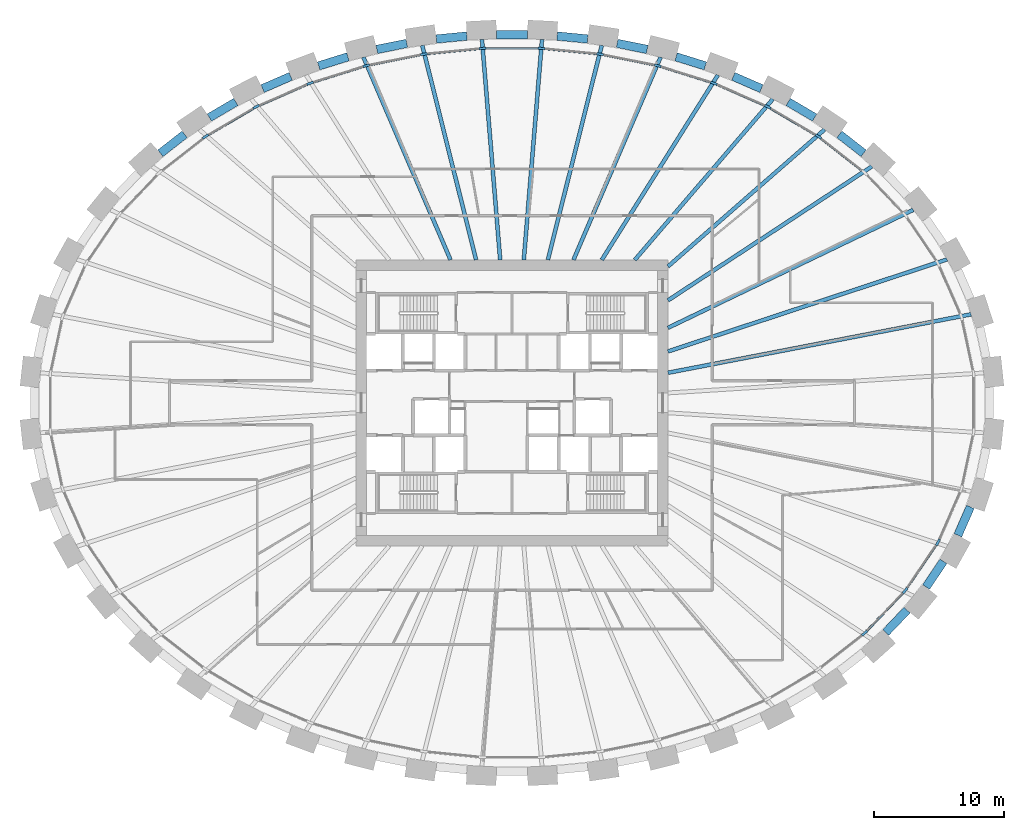
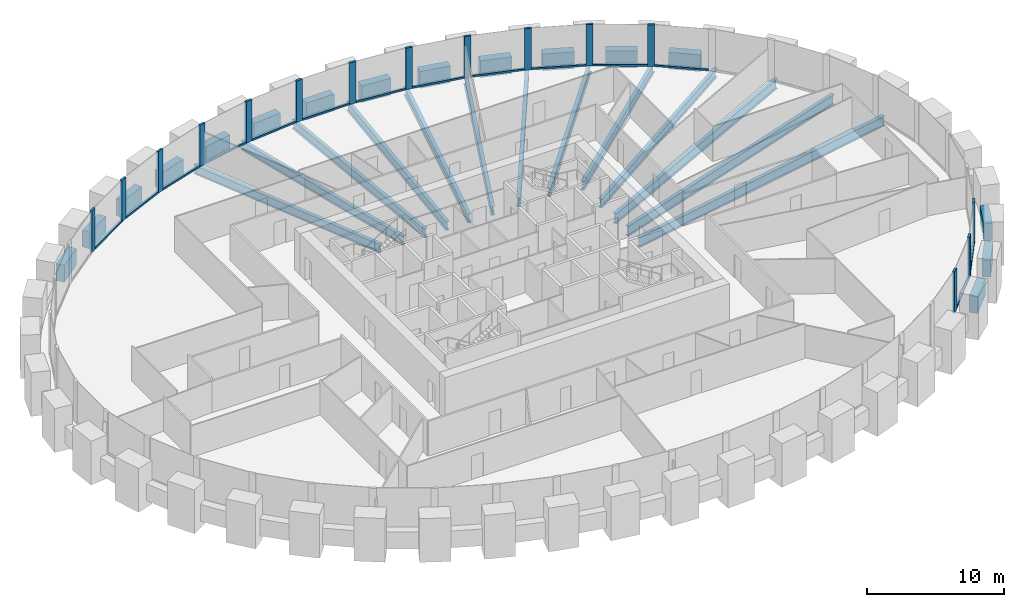
# One storey, part 3 of 10: 29 beams, 29 members, 1 element without a shape of its own.
"""IFC4 building model written with IfcOpenShell, lengths in metres."""

from ifc_helpers import new_model, si_unit, direction, frame, origin, origin_2d, place, context, subcontext, project, spatial, rectangle, i_section, extrude, source, transform, mapped, material, material_profile, profile_set, type_object, element, aggregate, save


model = new_model("IFC4")

# Units and contexts
model_context = context("Model", 3, precision=1e-05, world=origin(), true_north=direction((0.0, 1.0)))
body_context = subcontext(model_context, "Body", "Model", "MODEL_VIEW")
ifc_project = project(units=[si_unit("LENGTHUNIT", "METRE"), si_unit("AREAUNIT", "SQUARE_METRE"), si_unit("VOLUMEUNIT", "CUBIC_METRE"), si_unit("PLANEANGLEUNIT", "RADIAN"), si_unit("MASSUNIT", "GRAM", prefix="KILO")], contexts=[model_context])

# Site, building, storey
site_placement = place(None, origin())
site = spatial("IfcSite", under=ifc_project, at=site_placement, CompositionType="ELEMENT")
building_placement = place(site_placement, origin())
building = spatial("IfcBuilding", under=site, at=building_placement, Name="Embergate Tower", CompositionType="ELEMENT")
storey_placement = place(building_placement, frame((0.0, 0.0, 183.300048828125)))
storey = spatial("IfcBuildingStorey", under=building, at=storey_placement, Name="L41", CompositionType="ELEMENT", Elevation=183.300048828125)

# Beams
ifc_material_1 = material(Name="Concrete C70", Category="concrete")
ifc_material_profile_1 = material_profile(ifc_material_1, rectangle(XDim=0.64990234375, YDim=1.5, at=origin_2d()), Name="RC 650x1500")
ifc_profile_set_1 = profile_set([ifc_material_profile_1], Name="Concrete C70")
beam_type_1 = type_object("IfcBeamType", Name="Spandrel beam RC 650x1500 C70", PredefinedType="BEAM", material=ifc_profile_set_1)
shared_shape_1 = source(origin(), body_context, "Body", "SweptSolid", [
    extrude(rectangle(XDim=0.64990234375, YDim=1.5, at=origin_2d()), origin(), (0.0, 0.0, 1.0), 2.383544921875),
])
beam_1_placement = place(storey_placement, frame((34.302001953125, -10.18603515625, 0.0), z_axis=(0.401495719711, 0.915860899402, 0.0), x_axis=(-0.915860899402, 0.401495719711, 0.0)))
element("IfcBeam", 1, at=beam_1_placement, inside=storey, type_object=beam_type_1, Name="SPN-L41-41", PredefinedType="BEAM", context=body_context, shape_type="MappedRepresentation", body=[
    mapped(shared_shape_1, transform((0.0, 0.0, 0.0))),
])
shared_shape_2 = source(origin(), body_context, "Body", "SweptSolid", [
    extrude(rectangle(XDim=0.64990234375, YDim=1.5, at=origin_2d()), origin(), (0.0, 0.0, 1.0), 2.37744140625),
])
beam_2_placement = place(storey_placement, frame((31.85107421875, -14.1650390625, 0.0), z_axis=(0.562307212713, 0.826928411975, 0.0), x_axis=(-0.826928411975, 0.562307212713, 0.0)))
element("IfcBeam", 2, at=beam_2_placement, inside=storey, type_object=beam_type_1, Name="SPN-L41-40", PredefinedType="BEAM", context=body_context, shape_type="MappedRepresentation", body=[
    mapped(shared_shape_2, transform((0.0, 0.0, 0.0))),
])
shared_shape_3 = source(origin(), body_context, "Body", "SweptSolid", [
    extrude(rectangle(XDim=0.64990234375, YDim=1.5, at=origin_2d()), origin(), (0.0, 0.0, 1.0), 2.370361328125),
])
beam_3_placement = place(storey_placement, frame((28.7548828125, -17.656982421875, 0.0), z_axis=(0.690277300847, 0.723544917704, 0.0), x_axis=(-0.723544917704, 0.690277300847, 0.0)))
element("IfcBeam", 3, at=beam_3_placement, inside=storey, type_object=beam_type_1, Name="SPN-L41-39", PredefinedType="BEAM", context=body_context, shape_type="MappedRepresentation", body=[
    mapped(shared_shape_3, transform((0.0, 0.0, 0.0))),
])
shared_shape_4 = source(origin(), body_context, "Body", "SweptSolid", [
    extrude(rectangle(XDim=0.64990234375, YDim=1.5, at=origin_2d()), origin(), (0.0, 0.0, 1.0), 2.367431640625),
])
for number, where, z_axis, x_axis, name in (
    (4, (27.050048828125, 19.200927734375, 0.0), (-0.788179129097, 0.615445903761, 0.0), (-0.615445903761, -0.788179129097, 0.0), "SPN-L41-04"),
    (5, (-25.18408203125, 20.657958984375, 0.0), (-0.788179129097, -0.615445903761, 0.0), (0.615445903761, -0.788179129097, 0.0), "SPN-L41-16"),
):
    element("IfcBeam", number, at=place(storey_placement, frame(where, z_axis=z_axis, x_axis=x_axis)), inside=storey, type_object=beam_type_1, Name=name, PredefinedType="BEAM", context=body_context, shape_type="MappedRepresentation", body=[
        mapped(shared_shape_4, transform((0.0, 0.0, 0.0))),
    ])
shared_shape_5 = source(origin(), body_context, "Body", "SweptSolid", [
    extrude(rectangle(XDim=0.64990234375, YDim=1.5, at=origin_2d()), origin(), (0.0, 0.0, 1.0), 2.36181640625),
])
for number, where, z_axis, x_axis, name in (
    (6, (23.281982421875, 21.950927734375, 0.0), (-0.86203783714, 0.506843927989, 0.0), (-0.506843927989, -0.86203783714, 0.0), "SPN-L41-05"),
    (7, (-21.24609375, 23.14794921875, 0.0), (-0.86203783714, -0.506843927989, 0.0), (0.506843927989, -0.86203783714, 0.0), "SPN-L41-15"),
):
    element("IfcBeam", number, at=place(storey_placement, frame(where, z_axis=z_axis, x_axis=x_axis)), inside=storey, type_object=beam_type_1, Name=name, PredefinedType="BEAM", context=body_context, shape_type="MappedRepresentation", body=[
        mapped(shared_shape_5, transform((0.0, 0.0, 0.0))),
    ])
shared_shape_6 = source(origin(), body_context, "Body", "SweptSolid", [
    extrude(rectangle(XDim=0.64990234375, YDim=1.5, at=origin_2d()), origin(), (0.0, 0.0, 1.0), 2.357177734375),
])
for number, where, z_axis, x_axis, name in (
    (8, (19.18798828125, 24.175048828125, 0.0), (-0.916330780136, 0.400422153951, 0.0), (-0.400422153951, -0.916330780136, 0.0), "SPN-L41-06"),
    (9, (-17.028076171875, 25.118896484375, 0.0), (-0.916330780136, -0.400422153951, 0.0), (0.400422153951, -0.916330780136, 0.0), "SPN-L41-14"),
):
    element("IfcBeam", number, at=place(storey_placement, frame(where, z_axis=z_axis, x_axis=x_axis)), inside=storey, type_object=beam_type_1, Name=name, PredefinedType="BEAM", context=body_context, shape_type="MappedRepresentation", body=[
        mapped(shared_shape_6, transform((0.0, 0.0, 0.0))),
    ])
shared_shape_7 = source(origin(), body_context, "Body", "SweptSolid", [
    extrude(rectangle(XDim=0.64990234375, YDim=1.5, at=origin_2d()), origin(), (0.0, 0.0, 1.0), 2.354736328125),
])
for number, where, z_axis, x_axis, name in (
    (10, (14.873046875, 25.923095703125, 0.0), (-0.954671641149, 0.2976609776, 0.0), (-0.2976609776, -0.954671641149, 0.0), "SPN-L41-07"),
    (11, (-12.625, 26.6240234375, 0.0), (-0.954671641149, -0.2976609776, 0.0), (0.2976609776, -0.954671641149, 0.0), "SPN-L41-13"),
):
    element("IfcBeam", number, at=place(storey_placement, frame(where, z_axis=z_axis, x_axis=x_axis)), inside=storey, type_object=beam_type_1, Name=name, PredefinedType="BEAM", context=body_context, shape_type="MappedRepresentation", body=[
        mapped(shared_shape_7, transform((0.0, 0.0, 0.0))),
    ])
shared_shape_8 = source(origin(), body_context, "Body", "SweptSolid", [
    extrude(rectangle(XDim=0.64990234375, YDim=1.5, at=origin_2d()), origin(), (0.0, 0.0, 1.0), 2.35302734375),
])
for number, where, z_axis, x_axis, name in (
    (12, (10.39599609375, 27.19189453125, 0.0), (-0.980436743633, 0.196834427206, 0.0), (-0.196834427206, -0.980436743633, 0.0), "SPN-L41-08"),
    (13, (-8.089111328125, 27.655029296875, 0.0), (-0.980436743633, -0.196834427206, 0.0), (0.196834427206, -0.980436743633, 0.0), "SPN-L41-12"),
):
    element("IfcBeam", number, at=place(storey_placement, frame(where, z_axis=z_axis, x_axis=x_axis)), inside=storey, type_object=beam_type_1, Name=name, PredefinedType="BEAM", context=body_context, shape_type="MappedRepresentation", body=[
        mapped(shared_shape_8, transform((0.0, 0.0, 0.0))),
    ])
shared_shape_9 = source(origin(), body_context, "Body", "SweptSolid", [
    extrude(rectangle(XDim=0.64990234375, YDim=1.5, at=origin_2d()), origin(), (0.0, 0.0, 1.0), 2.352294921875),
])
for number, where, z_axis, x_axis, name in (
    (14, (5.81396484375, 27.993896484375, 0.0), (-0.995199233924, 0.097869733819, 0.0), (-0.097869733819, -0.995199233924, 0.0), "SPN-L41-09"),
    (15, (-3.472900390625, 28.22412109375, 0.0), (-0.995199233924, -0.097869733819, 0.0), (0.097869733819, -0.995199233924, 0.0), "SPN-L41-11"),
):
    element("IfcBeam", number, at=place(storey_placement, frame(where, z_axis=z_axis, x_axis=x_axis)), inside=storey, type_object=beam_type_1, Name=name, PredefinedType="BEAM", context=body_context, shape_type="MappedRepresentation", body=[
        mapped(shared_shape_9, transform((0.0, 0.0, 0.0))),
    ])
shared_shape_10 = source(origin(), body_context, "Body", "SweptSolid", [
    extrude(rectangle(XDim=0.64990234375, YDim=1.5, at=origin_2d()), origin(), (0.0, 0.0, 1.0), 2.35205078125),
])
beam_4_placement = place(storey_placement, frame((1.176025390625, 28.3369140625, 0.0), z_axis=(-1.0, 0.0, 0.0), x_axis=(0.0, -1.0, 0.0)))
element("IfcBeam", 16, at=beam_4_placement, inside=storey, type_object=beam_type_1, Name="SPN-L41-10", PredefinedType="BEAM", context=body_context, shape_type="MappedRepresentation", body=[
    mapped(shared_shape_10, transform((0.0, 0.0, 0.0))),
])
ifc_material_2 = material(Name="Steel Q355B", Category="steel")
ifc_material_profile_2 = material_profile(ifc_material_2, i_section(OverallWidth=0.300048828125, OverallDepth=0.89990234375, WebThickness=0.01611328125, FlangeThickness=0.028076171875, FilletRadius=0.028076171875, at=origin_2d()), Name="HN 900x300x16x28")
ifc_profile_set_2 = profile_set([ifc_material_profile_2], Name="Steel Q355 grade B")
beam_type_2 = type_object("IfcBeamType", Name="Radial girder HN 900x300x16x28", PredefinedType="BEAM", material=ifc_profile_set_2)
shared_shape_11 = source(origin(), body_context, "Body", "SweptSolid", [
    extrude(i_section(OverallWidth=0.300048828125, OverallDepth=0.89990234375, WebThickness=0.01611328125, FlangeThickness=0.028076171875, FilletRadius=0.028076171875, at=origin_2d()), origin(), (0.0, 0.0, 1.0), 23.747802734375),
])
beam_5_placement = place(storey_placement, frame((35.318115234375, 6.81201171875, -0.650146484375), z_axis=(-0.981906216614, -0.189367847787, 0.0), x_axis=(0.189367847787, -0.981906216614, 0.0)))
element("IfcBeam", 17, at=beam_5_placement, inside=storey, type_object=beam_type_2, Name="GIR-L41-01", PredefinedType="BEAM", context=body_context, shape_type="MappedRepresentation", body=[
    mapped(shared_shape_11, transform((0.0, 0.0, 0.0))),
])
shared_shape_12 = source(origin(), body_context, "Body", "SweptSolid", [
    extrude(i_section(OverallWidth=0.300048828125, OverallDepth=0.89990234375, WebThickness=0.01611328125, FlangeThickness=0.028076171875, FilletRadius=0.028076171875, at=origin_2d()), origin(), (0.0, 0.0, 1.0), 22.602294921875),
])
beam_6_placement = place(storey_placement, frame((33.465087890625, 11.035888671875, -0.650146484375), z_axis=(-0.949689481284, -0.313193054103, 0.0), x_axis=(0.313193054103, -0.949689481284, 0.0)))
element("IfcBeam", 18, at=beam_6_placement, inside=storey, type_object=beam_type_2, Name="GIR-L41-02", PredefinedType="BEAM", context=body_context, shape_type="MappedRepresentation", body=[
    mapped(shared_shape_12, transform((0.0, 0.0, 0.0))),
])
shared_shape_13 = source(origin(), body_context, "Body", "SweptSolid", [
    extrude(i_section(OverallWidth=0.300048828125, OverallDepth=0.89990234375, WebThickness=0.01611328125, FlangeThickness=0.028076171875, FilletRadius=0.028076171875, at=origin_2d()), origin(), (0.0, 0.0, 1.0), 20.941162109375),
])
beam_7_placement = place(storey_placement, frame((30.87109375, 14.85107421875, -0.650146484375), z_axis=(-0.901150138625, -0.433507125267, 0.0), x_axis=(0.433507125267, -0.901150138625, 0.0)))
element("IfcBeam", 19, at=beam_7_placement, inside=storey, type_object=beam_type_2, Name="GIR-L41-03", PredefinedType="BEAM", context=body_context, shape_type="MappedRepresentation", body=[
    mapped(shared_shape_13, transform((0.0, 0.0, 0.0))),
])
ifc_material_profile_3 = material_profile(ifc_material_2, i_section(OverallWidth=0.300048828125, OverallDepth=0.800048828125, WebThickness=0.013916015625, FlangeThickness=0.02587890625, FilletRadius=0.028076171875, at=origin_2d()), Name="HN 800x300x14x26")
ifc_profile_set_3 = profile_set([ifc_material_profile_3], Name="Steel Q355 grade B")
beam_type_3 = type_object("IfcBeamType", Name="Radial girder HN 800x300x14x26", PredefinedType="BEAM", material=ifc_profile_set_3)
shared_shape_14 = source(origin(), body_context, "Body", "SweptSolid", [
    extrude(i_section(OverallWidth=0.300048828125, OverallDepth=0.800048828125, WebThickness=0.013916015625, FlangeThickness=0.02587890625, FilletRadius=0.028076171875, at=origin_2d()), origin(), (0.0, 0.0, 1.0), 18.76953125),
])
beam_8_placement = place(storey_placement, frame((27.68701171875, 18.18994140625, -0.60009765625), z_axis=(-0.835771481667, -0.549077435734, 0.0), x_axis=(0.549077435734, -0.835771481667, 0.0)))
element("IfcBeam", 20, at=beam_8_placement, inside=storey, type_object=beam_type_3, Name="GIR-L41-04", PredefinedType="BEAM", context=body_context, shape_type="MappedRepresentation", body=[
    mapped(shared_shape_14, transform((0.0, 0.0, 0.0))),
])
shared_shape_15 = source(origin(), body_context, "Body", "SweptSolid", [
    extrude(i_section(OverallWidth=0.300048828125, OverallDepth=0.800048828125, WebThickness=0.013916015625, FlangeThickness=0.02587890625, FilletRadius=0.028076171875, at=origin_2d()), origin(), (0.0, 0.0, 1.0), 16.005859375),
])
beam_9_placement = place(storey_placement, frame((24.048095703125, 21.031005859375, -0.60009765625), z_axis=(-0.752730691054, -0.658328570506, 0.0), x_axis=(0.658328570506, -0.752730691054, 0.0)))
element("IfcBeam", 21, at=beam_9_placement, inside=storey, type_object=beam_type_3, Name="GIR-L41-05", PredefinedType="BEAM", context=body_context, shape_type="MappedRepresentation", body=[
    mapped(shared_shape_15, transform((0.0, 0.0, 0.0))),
])
shared_shape_16 = source(origin(), body_context, "Body", "SweptSolid", [
    extrude(i_section(OverallWidth=0.300048828125, OverallDepth=0.800048828125, WebThickness=0.013916015625, FlangeThickness=0.02587890625, FilletRadius=0.028076171875, at=origin_2d()), origin(), (0.0, 0.0, 1.0), 16.305419921875),
])
beam_10_placement = place(storey_placement, frame((20.069091796875, 23.3701171875, -0.60009765625), z_axis=(-0.651501333184, -0.758647489193, 0.0), x_axis=(0.758647489193, -0.651501333184, 0.0)))
element("IfcBeam", 22, at=beam_10_placement, inside=storey, type_object=beam_type_3, Name="GIR-L41-06", PredefinedType="BEAM", context=body_context, shape_type="MappedRepresentation", body=[
    mapped(shared_shape_16, transform((0.0, 0.0, 0.0))),
])
shared_shape_17 = source(origin(), body_context, "Body", "SweptSolid", [
    extrude(i_section(OverallWidth=0.300048828125, OverallDepth=0.800048828125, WebThickness=0.013916015625, FlangeThickness=0.02587890625, FilletRadius=0.028076171875, at=origin_2d()), origin(), (0.0, 0.0, 1.0), 16.79052734375),
])
beam_11_placement = place(storey_placement, frame((15.837890625, 25.218994140625, -0.60009765625), z_axis=(-0.531841858708, -0.8468436912, 0.0), x_axis=(0.8468436912, -0.531841858708, 0.0)))
element("IfcBeam", 23, at=beam_11_placement, inside=storey, type_object=beam_type_3, Name="GIR-L41-07", PredefinedType="BEAM", context=body_context, shape_type="MappedRepresentation", body=[
    mapped(shared_shape_17, transform((0.0, 0.0, 0.0))),
])
shared_shape_18 = source(origin(), body_context, "Body", "SweptSolid", [
    extrude(i_section(OverallWidth=0.300048828125, OverallDepth=0.800048828125, WebThickness=0.013916015625, FlangeThickness=0.02587890625, FilletRadius=0.028076171875, at=origin_2d()), origin(), (0.0, 0.0, 1.0), 16.971435546875),
])
for number, where, z_axis, x_axis, name in (
    (24, (11.429931640625, 26.592041015625, -0.60009765625), (-0.394894806524, -0.918726342161, 0.0), (0.918726342161, -0.394894806524, 0.0), "GIR-L41-08"),
    (25, (-11.429931640625, 26.592041015625, -0.60009765625), (0.394894806524, -0.918726342161, 0.0), (0.918726342161, 0.394894806524, 0.0), "GIR-L41-13"),
):
    element("IfcBeam", number, at=place(storey_placement, frame(where, z_axis=z_axis, x_axis=x_axis)), inside=storey, type_object=beam_type_3, Name=name, PredefinedType="BEAM", context=body_context, shape_type="MappedRepresentation", body=[
        mapped(shared_shape_18, transform((0.0, 0.0, 0.0))),
    ])
shared_shape_19 = source(origin(), body_context, "Body", "SweptSolid", [
    extrude(i_section(OverallWidth=0.300048828125, OverallDepth=0.800048828125, WebThickness=0.013916015625, FlangeThickness=0.02587890625, FilletRadius=0.028076171875, at=origin_2d()), origin(), (0.0, 0.0, 1.0), 17.011962890625),
])
for number, where, z_axis, x_axis, name in (
    (26, (6.903076171875, 27.5, -0.60009765625), (-0.243480994992, -0.969905668134, 0.0), (0.969905668134, -0.243480994992, 0.0), "GIR-L41-09"),
    (27, (-6.903076171875, 27.5, -0.60009765625), (0.243480994992, -0.969905668134, 0.0), (0.969905668134, 0.243480994992, 0.0), "GIR-L41-12"),
):
    element("IfcBeam", number, at=place(storey_placement, frame(where, z_axis=z_axis, x_axis=x_axis)), inside=storey, type_object=beam_type_3, Name=name, PredefinedType="BEAM", context=body_context, shape_type="MappedRepresentation", body=[
        mapped(shared_shape_19, transform((0.0, 0.0, 0.0))),
    ])
shared_shape_20 = source(origin(), body_context, "Body", "SweptSolid", [
    extrude(i_section(OverallWidth=0.300048828125, OverallDepth=0.800048828125, WebThickness=0.013916015625, FlangeThickness=0.02587890625, FilletRadius=0.028076171875, at=origin_2d()), origin(), (0.0, 0.0, 1.0), 17.009521484375),
])
for number, where, z_axis, x_axis, name in (
    (28, (2.30908203125, 27.951904296875, -0.60009765625), (-0.082314935073, -0.996606367361, 0.0), (0.996606367361, -0.082314935073, 0.0), "GIR-L41-10"),
    (29, (-2.30908203125, 27.951904296875, -0.60009765625), (0.082314935073, -0.996606367361, 0.0), (0.996606367361, 0.082314935073, 0.0), "GIR-L41-11"),
):
    element("IfcBeam", number, at=place(storey_placement, frame(where, z_axis=z_axis, x_axis=x_axis)), inside=storey, type_object=beam_type_3, Name=name, PredefinedType="BEAM", context=body_context, shape_type="MappedRepresentation", body=[
        mapped(shared_shape_20, transform((0.0, 0.0, 0.0))),
    ])

# Curtain wall, members
ifc_material_3 = material(Name="Aluminium and glass", Category="aluminium")
curtain_wall_type = type_object("IfcCurtainWallType", Name="Recessed office glazing", PredefinedType="NOTDEFINED", material=ifc_material_3)
curtain_wall_placement = place(storey_placement, origin())
curtain_wall = element("IfcCurtainWall", 30, at=curtain_wall_placement, inside=storey, type_object=curtain_wall_type, Name="Recessed office glazing ring", ObjectType="RECESSED OFFICE GLAZING", PredefinedType="USERDEFINED")
ifc_material_4 = material(Name="Aluminium, thermally broken", Category="aluminium")
ifc_material_profile_4 = material_profile(ifc_material_4, rectangle(XDim=0.179931640625, YDim=0.52001953125, at=origin_2d()), Name="AL 520x180")
ifc_profile_set_4 = profile_set([ifc_material_profile_4], Name="Aluminium, thermally broken")
member_type_1 = type_object("IfcMemberType", Name="Office mullion", PredefinedType="MULLION", material=ifc_profile_set_4)
shared_shape_21 = source(origin(), body_context, "Body", "SweptSolid", [
    extrude(rectangle(XDim=0.179931640625, YDim=0.52001953125, at=origin_2d()), origin(), (0.0, 0.0, 1.0), 3.699951171875),
])
member_1_placement = place(storey_placement, frame((23.576416015625, 20.486328125, 0.0), z_axis=(0.0, 0.0, 1.0), x_axis=(-0.562219061911, -0.826988347211, 0.0)))
member_1 = element("IfcMember", 31, at=member_1_placement, type_object=member_type_1, Name="CW mullion 6", PredefinedType="MULLION", context=body_context, shape_type="MappedRepresentation", body=[
    mapped(shared_shape_21, transform((0.0, 0.0, 0.0))),
])
member_2_placement = place(storey_placement, frame((19.680908203125, 22.776611328125, 0.0), z_axis=(0.0, 0.0, 1.0), x_axis=(-0.454512935162, -0.89074013706, 0.0)))
member_2 = element("IfcMember", 32, at=member_2_placement, type_object=member_type_1, Name="CW mullion 7", PredefinedType="MULLION", context=body_context, shape_type="MappedRepresentation", body=[
    mapped(shared_shape_21, transform((0.0, 0.0, 0.0))),
])
member_3_placement = place(storey_placement, frame((15.536376953125, 24.5888671875, 0.0), z_axis=(0.0, 0.0, 1.0), x_axis=(-0.349504318111, -0.93693475313, 0.0)))
member_3 = element("IfcMember", 33, at=member_3_placement, type_object=member_type_1, Name="CW mullion 8", PredefinedType="MULLION", context=body_context, shape_type="MappedRepresentation", body=[
    mapped(shared_shape_21, transform((0.0, 0.0, 0.0))),
])
member_4_placement = place(storey_placement, frame((11.21435546875, 25.934814453125, 0.0), z_axis=(0.0, 0.0, 1.0), x_axis=(-0.247313572481, -0.968935496752, 0.0)))
member_4 = element("IfcMember", 34, at=member_4_placement, type_object=member_type_1, Name="CW mullion 9", PredefinedType="MULLION", context=body_context, shape_type="MappedRepresentation", body=[
    mapped(shared_shape_21, transform((0.0, 0.0, 0.0))),
])
member_5_placement = place(storey_placement, frame((6.773681640625, 26.825439453125, 0.0), z_axis=(0.0, 0.0, 1.0), x_axis=(-0.147412382818, -0.989075118174, 0.0)))
member_5 = element("IfcMember", 35, at=member_5_placement, type_object=member_type_1, Name="CW mullion 10", PredefinedType="MULLION", context=body_context, shape_type="MappedRepresentation", body=[
    mapped(shared_shape_21, transform((0.0, 0.0, 0.0))),
])
member_6_placement = place(storey_placement, frame((2.265380859375, 27.268798828125, 0.0), z_axis=(0.0, 0.0, 1.0), x_axis=(-0.048971796621, -0.998800161762, 0.0)))
member_6 = element("IfcMember", 36, at=member_6_placement, type_object=member_type_1, Name="CW mullion 11", PredefinedType="MULLION", context=body_context, shape_type="MappedRepresentation", body=[
    mapped(shared_shape_21, transform((0.0, 0.0, 0.0))),
])
member_7_placement = place(storey_placement, frame((-2.265380859375, 27.268798828125, 0.0), z_axis=(0.0, 0.0, 1.0), x_axis=(0.048971796621, -0.998800161762, 0.0)))
member_7 = element("IfcMember", 37, at=member_7_placement, type_object=member_type_1, Name="CW mullion 12", PredefinedType="MULLION", context=body_context, shape_type="MappedRepresentation", body=[
    mapped(shared_shape_21, transform((0.0, 0.0, 0.0))),
])
member_8_placement = place(storey_placement, frame((-6.773681640625, 26.825439453125, 0.0), z_axis=(0.0, 0.0, 1.0), x_axis=(0.147412382818, -0.989075118174, 0.0)))
member_8 = element("IfcMember", 38, at=member_8_placement, type_object=member_type_1, Name="CW mullion 13", PredefinedType="MULLION", context=body_context, shape_type="MappedRepresentation", body=[
    mapped(shared_shape_21, transform((0.0, 0.0, 0.0))),
])
member_9_placement = place(storey_placement, frame((-11.21435546875, 25.934814453125, 0.0), z_axis=(0.0, 0.0, 1.0), x_axis=(0.247313572481, -0.968935496752, 0.0)))
member_9 = element("IfcMember", 39, at=member_9_placement, type_object=member_type_1, Name="CW mullion 14", PredefinedType="MULLION", context=body_context, shape_type="MappedRepresentation", body=[
    mapped(shared_shape_21, transform((0.0, 0.0, 0.0))),
])
member_10_placement = place(storey_placement, frame((-15.536376953125, 24.5888671875, 0.0), z_axis=(0.0, 0.0, 1.0), x_axis=(0.349504318111, -0.93693475313, 0.0)))
member_10 = element("IfcMember", 40, at=member_10_placement, type_object=member_type_1, Name="CW mullion 15", PredefinedType="MULLION", context=body_context, shape_type="MappedRepresentation", body=[
    mapped(shared_shape_21, transform((0.0, 0.0, 0.0))),
])
member_11_placement = place(storey_placement, frame((-19.680908203125, 22.776611328125, 0.0), z_axis=(0.0, 0.0, 1.0), x_axis=(0.454512935162, -0.89074013706, 0.0)))
member_11 = element("IfcMember", 41, at=member_11_placement, type_object=member_type_1, Name="CW mullion 16", PredefinedType="MULLION", context=body_context, shape_type="MappedRepresentation", body=[
    mapped(shared_shape_21, transform((0.0, 0.0, 0.0))),
])
member_12_placement = place(storey_placement, frame((-23.576416015625, 20.486328125, 0.0), z_axis=(0.0, 0.0, 1.0), x_axis=(0.562219061911, -0.826988347211, 0.0)))
member_12 = element("IfcMember", 42, at=member_12_placement, type_object=member_type_1, Name="CW mullion 17", PredefinedType="MULLION", context=body_context, shape_type="MappedRepresentation", body=[
    mapped(shared_shape_21, transform((0.0, 0.0, 0.0))),
])
member_13_placement = place(storey_placement, frame((27.13427734375, -17.709716796875, 0.0), z_axis=(0.0, 0.0, 1.0), x_axis=(-0.671229121411, 0.741249935292, 0.0)))
member_13 = element("IfcMember", 43, at=member_13_placement, type_object=member_type_1, Name="CW mullion 40", PredefinedType="MULLION", context=body_context, shape_type="MappedRepresentation", body=[
    mapped(shared_shape_21, transform((0.0, 0.0, 0.0))),
])
member_14_placement = place(storey_placement, frame((30.24365234375, -14.448974609375, 0.0), z_axis=(0.0, 0.0, 1.0), x_axis=(-0.777873661157, 0.62842069291, 0.0)))
member_14 = element("IfcMember", 44, at=member_14_placement, type_object=member_type_1, Name="CW mullion 41", PredefinedType="MULLION", context=body_context, shape_type="MappedRepresentation", body=[
    mapped(shared_shape_21, transform((0.0, 0.0, 0.0))),
])
member_15_placement = place(storey_placement, frame((32.7724609375, -10.73046875, 0.0), z_axis=(0.0, 0.0, 1.0), x_axis=(-0.875002740779, 0.484117964581, 0.0)))
member_15 = element("IfcMember", 45, at=member_15_placement, type_object=member_type_1, Name="CW mullion 42", PredefinedType="MULLION", context=body_context, shape_type="MappedRepresentation", body=[
    mapped(shared_shape_21, transform((0.0, 0.0, 0.0))),
])
ifc_material_profile_5 = material_profile(ifc_material_4, rectangle(XDim=0.179931640625, YDim=0.14990234375, at=origin_2d()), Name="AL 150x180")
ifc_profile_set_5 = profile_set([ifc_material_profile_5], Name="Aluminium, thermally broken")
member_type_2 = type_object("IfcMemberType", Name="Office sill transom", PredefinedType="USERDEFINED", material=ifc_profile_set_5)
shared_shape_22 = source(origin(), body_context, "Body", "SweptSolid", [
    extrude(rectangle(XDim=0.179931640625, YDim=0.14990234375, at=origin_2d()), origin(), (0.0, 0.0, 1.0), 3.976806640625),
])
member_16_placement = place(storey_placement, frame((30.389892578125, -14.23388671875, 0.074951171875), z_axis=(0.5623268127, 0.826915083741, 0.0), x_axis=(-0.826915083741, 0.5623268127, 0.0)))
member_16 = element("IfcMember", 46, at=member_16_placement, type_object=member_type_2, Name="CW transom 41.1", ObjectType="TRANSOM", PredefinedType="USERDEFINED", context=body_context, shape_type="MappedRepresentation", body=[
    mapped(shared_shape_22, transform((0.0, 0.0, 0.0))),
])
shared_shape_23 = source(origin(), body_context, "Body", "SweptSolid", [
    extrude(rectangle(XDim=0.179931640625, YDim=0.14990234375, at=origin_2d()), origin(), (0.0, 0.0, 1.0), 3.985595703125),
])
member_17_placement = place(storey_placement, frame((27.313720703125, -17.521484375, 0.074951171875), z_axis=(0.690123088355, 0.723692008329, 0.0), x_axis=(-0.723692008329, 0.690123088355, 0.0)))
member_17 = element("IfcMember", 47, at=member_17_placement, type_object=member_type_2, Name="CW transom 40.1", ObjectType="TRANSOM", PredefinedType="USERDEFINED", context=body_context, shape_type="MappedRepresentation", body=[
    mapped(shared_shape_23, transform((0.0, 0.0, 0.0))),
])
shared_shape_24 = source(origin(), body_context, "Body", "SweptSolid", [
    extrude(rectangle(XDim=0.179931640625, YDim=0.14990234375, at=origin_2d()), origin(), (0.0, 0.0, 1.0), 3.992919921875),
])
member_18_placement = place(storey_placement, frame((26.92919921875, 17.86962890625, 0.074951171875), z_axis=(-0.788310720269, 0.615277342594, 0.0), x_axis=(-0.615277342594, -0.788310720269, 0.0)))
member_18 = element("IfcMember", 48, at=member_18_placement, type_object=member_type_2, Name="CW transom 5.1", ObjectType="TRANSOM", PredefinedType="USERDEFINED", context=body_context, shape_type="MappedRepresentation", body=[
    mapped(shared_shape_24, transform((0.0, 0.0, 0.0))),
])
shared_shape_25 = source(origin(), body_context, "Body", "SweptSolid", [
    extrude(rectangle(XDim=0.179931640625, YDim=0.14990234375, at=origin_2d()), origin(), (0.0, 0.0, 1.0), 3.9990234375),
])
member_19_placement = place(storey_placement, frame((23.352294921875, 20.6181640625, 0.074951171875), z_axis=(-0.862037779563, 0.506844025916, 0.0), x_axis=(-0.506844025916, -0.862037779563, 0.0)))
member_19 = element("IfcMember", 49, at=member_19_placement, type_object=member_type_2, Name="CW transom 6.1", ObjectType="TRANSOM", PredefinedType="USERDEFINED", context=body_context, shape_type="MappedRepresentation", body=[
    mapped(shared_shape_25, transform((0.0, 0.0, 0.0))),
])
member_20_placement = place(storey_placement, frame((-19.905029296875, 22.64501953125, 0.074951171875), z_axis=(-0.862037779563, -0.506844025916, 0.0), x_axis=(0.506844025916, -0.862037779563, 0.0)))
member_20 = element("IfcMember", 50, at=member_20_placement, type_object=member_type_2, Name="CW transom 16.1", ObjectType="TRANSOM", PredefinedType="USERDEFINED", context=body_context, shape_type="MappedRepresentation", body=[
    mapped(shared_shape_25, transform((0.0, 0.0, 0.0))),
])
shared_shape_26 = source(origin(), body_context, "Body", "SweptSolid", [
    extrude(rectangle(XDim=0.179931640625, YDim=0.14990234375, at=origin_2d()), origin(), (0.0, 0.0, 1.0), 4.00341796875),
])
member_21_placement = place(storey_placement, frame((19.442626953125, 22.880859375, 0.074951171875), z_axis=(-0.916224504472, 0.400665268529, 0.0), x_axis=(-0.400665268529, -0.916224504472, 0.0)))
member_21 = element("IfcMember", 51, at=member_21_placement, type_object=member_type_2, Name="CW transom 7.1", ObjectType="TRANSOM", PredefinedType="USERDEFINED", context=body_context, shape_type="MappedRepresentation", body=[
    mapped(shared_shape_26, transform((0.0, 0.0, 0.0))),
])
member_22_placement = place(storey_placement, frame((-15.774658203125, 24.48486328125, 0.074951171875), z_axis=(-0.916224504472, -0.400665268529, 0.0), x_axis=(0.400665268529, -0.916224504472, 0.0)))
member_22 = element("IfcMember", 52, at=member_22_placement, type_object=member_type_2, Name="CW transom 15.1", ObjectType="TRANSOM", PredefinedType="USERDEFINED", context=body_context, shape_type="MappedRepresentation", body=[
    mapped(shared_shape_26, transform((0.0, 0.0, 0.0))),
])
shared_shape_27 = source(origin(), body_context, "Body", "SweptSolid", [
    extrude(rectangle(XDim=0.179931640625, YDim=0.14990234375, at=origin_2d()), origin(), (0.0, 0.0, 1.0), 4.006591796875),
])
member_23_placement = place(storey_placement, frame((15.2880859375, 24.666259765625, 0.074951171875), z_axis=(-0.954766855045, 0.297355431273, 0.0), x_axis=(-0.297355431273, -0.954766855045, 0.0)))
member_23 = element("IfcMember", 53, at=member_23_placement, type_object=member_type_2, Name="CW transom 8.1", ObjectType="TRANSOM", PredefinedType="USERDEFINED", context=body_context, shape_type="MappedRepresentation", body=[
    mapped(shared_shape_27, transform((0.0, 0.0, 0.0))),
])
member_24_placement = place(storey_placement, frame((-11.462646484375, 25.857666015625, 0.074951171875), z_axis=(-0.954766855045, -0.297355431273, 0.0), x_axis=(0.297355431273, -0.954766855045, 0.0)))
member_24 = element("IfcMember", 54, at=member_24_placement, type_object=member_type_2, Name="CW transom 14.1", ObjectType="TRANSOM", PredefinedType="USERDEFINED", context=body_context, shape_type="MappedRepresentation", body=[
    mapped(shared_shape_27, transform((0.0, 0.0, 0.0))),
])
shared_shape_28 = source(origin(), body_context, "Body", "SweptSolid", [
    extrude(rectangle(XDim=0.179931640625, YDim=0.14990234375, at=origin_2d()), origin(), (0.0, 0.0, 1.0), 4.009033203125),
])
member_25_placement = place(storey_placement, frame((10.95947265625, 25.986083984375, 0.074951171875), z_axis=(-0.980475131823, 0.196643118053, 0.0), x_axis=(-0.196643118053, -0.980475131823, 0.0)))
member_25 = element("IfcMember", 55, at=member_25_placement, type_object=member_type_2, Name="CW transom 9.1", ObjectType="TRANSOM", PredefinedType="USERDEFINED", context=body_context, shape_type="MappedRepresentation", body=[
    mapped(shared_shape_28, transform((0.0, 0.0, 0.0))),
])
member_26_placement = place(storey_placement, frame((-7.02880859375, 26.7744140625, 0.074951171875), z_axis=(-0.980475131823, -0.196643118053, 0.0), x_axis=(0.196643118053, -0.980475131823, 0.0)))
member_26 = element("IfcMember", 56, at=member_26_placement, type_object=member_type_2, Name="CW transom 13.1", ObjectType="TRANSOM", PredefinedType="USERDEFINED", context=body_context, shape_type="MappedRepresentation", body=[
    mapped(shared_shape_28, transform((0.0, 0.0, 0.0))),
])
shared_shape_29 = source(origin(), body_context, "Body", "SweptSolid", [
    extrude(rectangle(XDim=0.179931640625, YDim=0.14990234375, at=origin_2d()), origin(), (0.0, 0.0, 1.0), 4.01025390625),
])
member_27_placement = place(storey_placement, frame((6.51513671875, 26.850830078125, 0.074951171875), z_axis=(-0.995196827503, 0.097894200687, 0.0), x_axis=(-0.097894200687, -0.995196827503, 0.0)))
member_27 = element("IfcMember", 57, at=member_27_placement, type_object=member_type_2, Name="CW transom 10.1", ObjectType="TRANSOM", PredefinedType="USERDEFINED", context=body_context, shape_type="MappedRepresentation", body=[
    mapped(shared_shape_29, transform((0.0, 0.0, 0.0))),
])
member_28_placement = place(storey_placement, frame((-2.524169921875, 27.243408203125, 0.074951171875), z_axis=(-0.995196827503, -0.097894200687, 0.0), x_axis=(0.097894200687, -0.995196827503, 0.0)))
member_28 = element("IfcMember", 58, at=member_28_placement, type_object=member_type_2, Name="CW transom 12.1", ObjectType="TRANSOM", PredefinedType="USERDEFINED", context=body_context, shape_type="MappedRepresentation", body=[
    mapped(shared_shape_29, transform((0.0, 0.0, 0.0))),
])
shared_shape_30 = source(origin(), body_context, "Body", "SweptSolid", [
    extrude(rectangle(XDim=0.179931640625, YDim=0.14990234375, at=origin_2d()), origin(), (0.0, 0.0, 1.0), 4.0107421875),
])
member_29_placement = place(storey_placement, frame((2.00537109375, 27.268798828125, 0.074951171875), z_axis=(-1.0, 0.0, 0.0), x_axis=(0.0, -1.0, 0.0)))
member_29 = element("IfcMember", 59, at=member_29_placement, type_object=member_type_2, Name="CW transom 11.1", ObjectType="TRANSOM", PredefinedType="USERDEFINED", context=body_context, shape_type="MappedRepresentation", body=[
    mapped(shared_shape_30, transform((0.0, 0.0, 0.0))),
])
aggregate(curtain_wall, [member_1, member_2, member_3, member_4, member_5, member_6, member_7, member_8, member_9, member_10, member_11, member_12, member_13, member_14, member_15, member_18, member_19, member_21, member_23, member_25, member_27, member_29, member_28, member_26, member_24, member_22, member_20, member_17, member_16])

save(model, "model.ifc")
